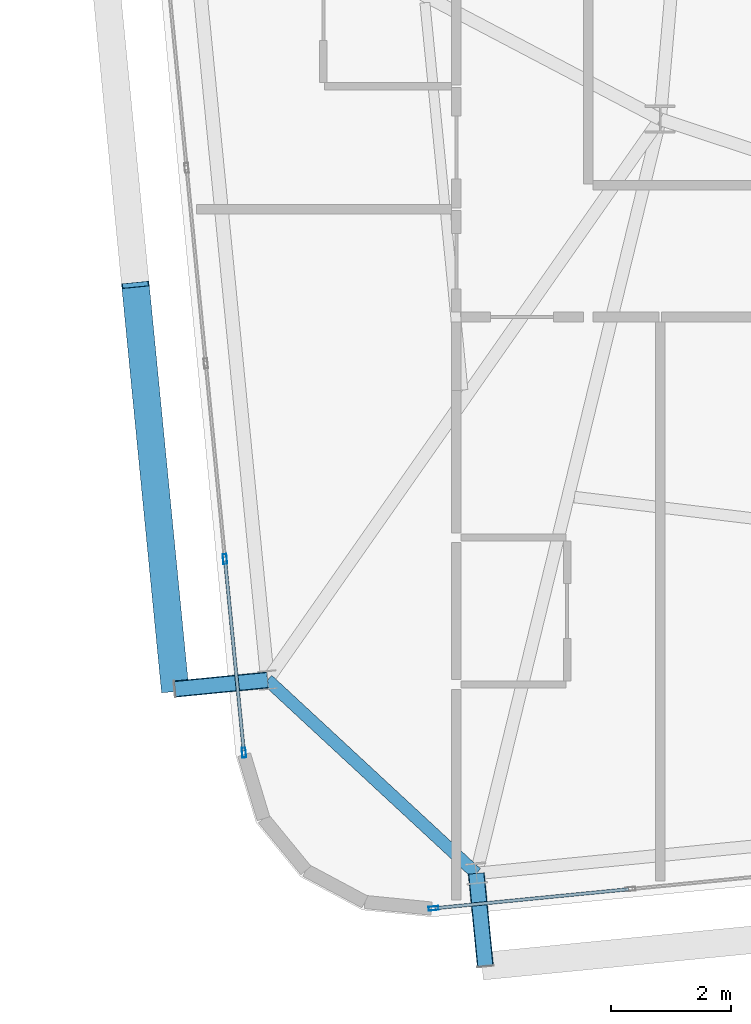
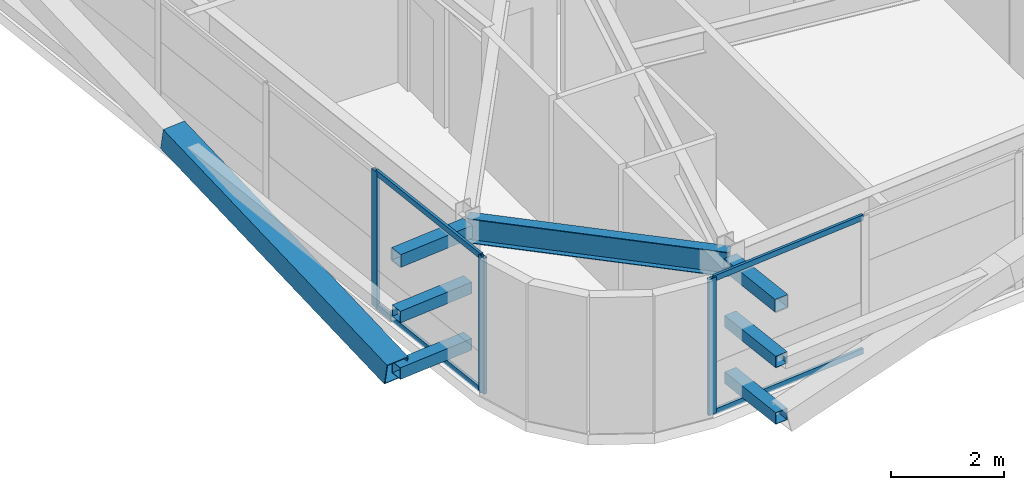
# One storey, part 5 of 53: 14 members, 1 beam, 2 elements without a shape of their own.
"""IFC4 building model written with IfcOpenShell, lengths in metres."""

from ifc_helpers import new_model, si_unit, direction, frame, origin, origin_2d, place, context, subcontext, project, spatial, hollow_rectangle, i_section, extrude, source, transform, mapped, material, layer, layer_set, material_profile, profile_set, type_object, element, aggregate, save


model = new_model("IFC4")

# Units and contexts
model_context = context("Model", 3, precision=1e-05, world=origin(), true_north=direction((0.0, 1.0)))
body_context = subcontext(model_context, "Body", "Model", "MODEL_VIEW")
ifc_project = project(units=[si_unit("LENGTHUNIT", "METRE"), si_unit("AREAUNIT", "SQUARE_METRE"), si_unit("VOLUMEUNIT", "CUBIC_METRE"), si_unit("PLANEANGLEUNIT", "RADIAN"), si_unit("MASSUNIT", "GRAM", prefix="KILO")], contexts=[model_context])

# Site, building, storey
site_placement = place(None, origin())
site = spatial("IfcSite", under=ifc_project, at=site_placement, CompositionType="ELEMENT")
building_placement = place(site_placement, origin())
building = spatial("IfcBuilding", under=site, at=building_placement, Name="Taldren Reach Tower", CompositionType="ELEMENT")
storey_placement = place(building_placement, frame((0.0, 0.0, 80.85009765625)))
storey = spatial("IfcBuildingStorey", under=building, at=storey_placement, Name="L24", CompositionType="ELEMENT", Elevation=80.85009765625)

# Beam
ifc_material_1 = material(Name="Steel Gr 350 (350PLUS)", Category="steel")
ifc_material_profile_1 = material_profile(ifc_material_1, i_section(OverallWidth=0.208984375, OverallDepth=0.528076171875, WebThickness=0.009521484375, FlangeThickness=0.01318359375, at=origin_2d()), Name="530UB82.0")
ifc_profile_set_1 = profile_set([ifc_material_profile_1], Name="Steel Gr 350 (350PLUS)")
beam_type = type_object("IfcBeamType", Name="SP-UB530B", PredefinedType="SPANDREL", material=ifc_profile_set_1)
shared_shape_1 = source(origin(), body_context, "Body", "SweptSolid", [
    extrude(i_section(OverallWidth=0.208984375, OverallDepth=0.528076171875, WebThickness=0.009521484375, FlangeThickness=0.01318359375, at=origin_2d()), origin(), (0.0, 0.0, 1.0), 4.745849609375),
])
beam_placement = place(storey_placement, frame((11.452880859375, 3.145751953125, 2.666015625), z_axis=(0.733524121458, -0.679663419083, 0.0), x_axis=(0.679663419083, 0.733524121458, 0.0)))
element("IfcBeam", 1, at=beam_placement, inside=storey, type_object=beam_type, Name="Perimeter spandrel B2 W1-S1 L24", PredefinedType="SPANDREL", context=body_context, shape_type="MappedRepresentation", body=[
    mapped(shared_shape_1, transform((0.0, 0.0, 0.0), scale=1.0)),
])

# Members
ifc_material_2 = material(Name="Steel Gr 450 (C450L0)", Category="steel")
ifc_material_profile_2 = material_profile(ifc_material_2, hollow_rectangle(XDim=0.27490234375, YDim=0.27490234375, WallThickness=0.00927734375, at=origin_2d()), Name="275x275x9.3SHS")
ifc_profile_set_2 = profile_set([ifc_material_profile_2], Name="Steel Gr 450 (C450L0)")
member_type_1 = type_object("IfcMemberType", Name="MB-TIE273", PredefinedType="STRUT", material=ifc_profile_set_2)
shared_shape_2 = source(origin(), body_context, "Body", "SweptSolid", [
    extrude(hollow_rectangle(XDim=0.27490234375, YDim=0.27490234375, WallThickness=0.00927734375, at=origin_2d()), origin(), (0.0, 0.0, 1.0), 1.550048828125),
])
for number, where, z_axis, x_axis, name in (
    (2, (14.93408203125, -0.079833984375, 2.64990234375), (0.097647892962, -0.9952210252, 0.0), (0.9952210252, 0.097647892962, 0.0), "Exoskeleton diaphragm tie strut B2-S1 L24"),
    (3, (11.452880859375, 3.145751953125, 2.64990234375), (-0.995236318924, -0.097491894511, 0.0), (0.097491894511, -0.995236318924, 0.0), "Exoskeleton diaphragm tie strut B2-W1 L24"),
):
    element("IfcMember", number, at=place(storey_placement, frame(where, z_axis=z_axis, x_axis=x_axis)), inside=storey, type_object=member_type_1, Name=name, PredefinedType="STRUT", context=body_context, shape_type="MappedRepresentation", body=[
        mapped(shared_shape_2, transform((0.0, 0.0, 0.0), scale=1.0)),
    ])
ifc_material_3 = material(Name="Steel Gr 350 (C350L0)", Category="steel")
ifc_material_profile_3 = material_profile(ifc_material_3, hollow_rectangle(XDim=0.25, YDim=0.25, WallThickness=0.010009765625, at=origin_2d()), Name="250x250x10.0SHS")
ifc_profile_set_3 = profile_set([ifc_material_profile_3], Name="Steel Gr 350 (C350L0)")
member_type_2 = type_object("IfcMemberType", Name="MB-POST250", PredefinedType="POST", material=ifc_profile_set_3)
shared_shape_3 = source(origin(), body_context, "Body", "SweptSolid", [
    extrude(hollow_rectangle(XDim=0.25, YDim=0.25, WallThickness=0.010009765625, at=origin_2d()), origin(), (0.0, 0.0, 1.0), 1.550048828125),
])
for number, where, z_axis, x_axis, name in (
    (4, (14.93408203125, -0.079833984375, 0.219970703125), (0.097647892962, -0.9952210252, 0.0), (0.9952210252, 0.097647892962, 0.0), "Exoskeleton base diaphragm tie strut B2-S1 L24"),
    (5, (11.452880859375, 3.145751953125, 0.219970703125), (-0.995236318924, -0.097491894511, 0.0), (0.097491894511, -0.995236318924, 0.0), "Exoskeleton base diaphragm tie strut B2-W1 L24"),
    (6, (14.93408203125, -0.079833984375, 1.434814453125), (0.097647892962, -0.9952210252, 0.0), (0.9952210252, 0.097647892962, 0.0), "Exoskeleton mid-tier diaphragm tie B2-S1 L24"),
    (7, (11.452880859375, 3.145751953125, 1.434814453125), (-0.995236318924, -0.097491894511, 0.0), (0.097491894511, -0.995236318924, 0.0), "Exoskeleton mid-tier diaphragm tie B2-W1 L24"),
):
    element("IfcMember", number, at=place(storey_placement, frame(where, z_axis=z_axis, x_axis=x_axis)), inside=storey, type_object=member_type_2, Name=name, PredefinedType="POST", context=body_context, shape_type="MappedRepresentation", body=[
        mapped(shared_shape_3, transform((0.0, 0.0, 0.0), scale=1.0)),
    ])
ifc_material_profile_4 = material_profile(ifc_material_2, hollow_rectangle(XDim=0.4599609375, YDim=0.4599609375, WallThickness=0.01611328125, at=origin_2d()), Name="460x460x16.0SHS")
ifc_profile_set_4 = profile_set([ifc_material_profile_4], Name="Steel Gr 450 (C450L0)")
member_type_3 = type_object("IfcMemberType", Name="MB-EXO457", PredefinedType="BRACE", material=ifc_profile_set_4)
shared_shape_4 = source(origin(), body_context, "Body", "SweptSolid", [
    extrude(hollow_rectangle(XDim=0.4599609375, YDim=0.4599609375, WallThickness=0.01611328125, at=origin_2d()), origin(), (0.0, 0.0, 1.0), 6.883056640625),
])
member_1_placement = place(storey_placement, frame((9.91015625, 2.99462890625, 0.219970703125), z_axis=(-0.096052059581, 0.979603316657, 0.176497432967), x_axis=(-0.995227290009, -0.097584021339, 0.0)))
element("IfcMember", 8, at=member_1_placement, inside=storey, type_object=member_type_3, Name="Exoskeleton Diagrid Brace B2-W1 L24", PredefinedType="BRACE", context=body_context, shape_type="MappedRepresentation", body=[
    mapped(shared_shape_4, transform((0.0, 0.0, 0.0), scale=1.0)),
])

# Curtain wall, member
ifc_material_4 = material(Name="Aluminium and Low-E Glass Unitised System", Category="aluminium")
ifc_layer = layer(ifc_material_4, 0.159912109375)
ifc_layer_set = layer_set([ifc_layer], Name="Aluminium and Low-E Glass Unitised System")
curtain_wall_type = type_object("IfcCurtainWallType", Name="CW-SYS-3", PredefinedType="NOTDEFINED", material=ifc_layer_set)
curtain_wall_1_placement = place(storey_placement, origin())
curtain_wall_1 = element("IfcCurtainWall", 9, at=curtain_wall_1_placement, inside=storey, type_object=curtain_wall_type, Name="Unitised curtain wall CW-L24-S", PredefinedType="NOTDEFINED")
ifc_material_5 = material(Name="Anodised Aluminium 6063-T6", Category="aluminium")
ifc_material_profile_5 = material_profile(ifc_material_5, hollow_rectangle(XDim=0.06494140625, YDim=0.1650390625, WallThickness=0.00390625, at=origin_2d()), Name="ALU-165x65x4RHS")
ifc_profile_set_5 = profile_set([ifc_material_profile_5], Name="Anodised Aluminium 6063-T6")
member_type_4 = type_object("IfcMemberType", Name="CW-MUL-165", PredefinedType="MULLION", material=ifc_profile_set_5)
shared_shape_5 = source(origin(), body_context, "Body", "SweptSolid", [
    extrude(hollow_rectangle(XDim=0.06494140625, YDim=0.1650390625, WallThickness=0.00390625, at=origin_2d()), origin(), (0.0, 0.0, 1.0), 2.929931640625),
])
member_2_placement = place(storey_placement, frame((14.22021484375, -0.662353515625, 0.0), z_axis=(0.0, 0.0, 1.0), x_axis=(-0.097582999046, 0.995227390247, 0.0)))
member_2 = element("IfcMember", 10, at=member_2_placement, type_object=member_type_4, Name="CW-3 mullion 1", PredefinedType="MULLION", context=body_context, shape_type="MappedRepresentation", body=[
    mapped(shared_shape_5, transform((0.0, 0.0, 0.0), scale=1.0)),
])

# Curtain wall, members
curtain_wall_2_placement = place(storey_placement, origin())
curtain_wall_2 = element("IfcCurtainWall", 11, at=curtain_wall_2_placement, inside=storey, type_object=curtain_wall_type, Name="Unitised curtain wall CW-L24-W", PredefinedType="NOTDEFINED")
member_3_placement = place(storey_placement, frame((10.742431640625, 5.163818359375, 0.0), z_axis=(0.0, 0.0, 1.0), x_axis=(0.99522741555, 0.09758274098, 0.0)))
member_3 = element("IfcMember", 12, at=member_3_placement, type_object=member_type_4, Name="CW-3 mullion 9", PredefinedType="MULLION", context=body_context, shape_type="MappedRepresentation", body=[
    mapped(shared_shape_5, transform((0.0, 0.0, 0.0), scale=1.0)),
])
member_4_placement = place(storey_placement, frame((11.05908203125, 1.93408203125, 0.0), z_axis=(0.0, 0.0, 1.0), x_axis=(0.99522741555, 0.09758274098, 0.0)))
member_4 = element("IfcMember", 13, at=member_4_placement, type_object=member_type_4, Name="CW-3 mullion 10", PredefinedType="MULLION", context=body_context, shape_type="MappedRepresentation", body=[
    mapped(shared_shape_5, transform((0.0, 0.0, 0.0), scale=1.0)),
])

# Member
ifc_material_profile_6 = material_profile(ifc_material_5, hollow_rectangle(XDim=0.054931640625, YDim=0.1201171875, WallThickness=0.0029296875, at=origin_2d()), Name="ALU-120x55x3RHS")
ifc_profile_set_6 = profile_set([ifc_material_profile_6], Name="Anodised Aluminium 6063-T6")
member_type_5 = type_object("IfcMemberType", Name="CW-TRN-135", PredefinedType="USERDEFINED", material=ifc_profile_set_6)
shared_shape_6 = source(origin(), body_context, "Body", "SweptSolid", [
    extrude(hollow_rectangle(XDim=0.054931640625, YDim=0.1201171875, WallThickness=0.0029296875, at=origin_2d()), origin(), (0.0, 0.0, 1.0), 3.23583984375),
])
member_5_placement = place(storey_placement, frame((14.25244140625, -0.6591796875, 0.02734375), z_axis=(0.995230248826, 0.097553840629, 0.0), x_axis=(-0.097553840629, 0.995230248826, 0.0)))
member_5 = element("IfcMember", 14, at=member_5_placement, type_object=member_type_5, Name="CW-3 transom 1.1", ObjectType="TRANSOM", PredefinedType="USERDEFINED", context=body_context, shape_type="MappedRepresentation", body=[
    mapped(shared_shape_6, transform((0.0, 0.0, 0.0), scale=1.0)),
])

member_6_placement = place(storey_placement, frame((14.25244140625, -0.6591796875, 2.90234375), z_axis=(0.995230248826, 0.097553840629, 0.0), x_axis=(-0.097553840629, 0.995230248826, 0.0)))
member_6 = element("IfcMember", 15, at=member_6_placement, type_object=member_type_5, Name="CW-3 transom 1.2", ObjectType="TRANSOM", PredefinedType="USERDEFINED", context=body_context, shape_type="MappedRepresentation", body=[
    mapped(shared_shape_6, transform((0.0, 0.0, 0.0), scale=1.0)),
])

aggregate(curtain_wall_1, [member_2, member_5, member_6])

shared_shape_7 = source(origin(), body_context, "Body", "SweptSolid", [
    extrude(hollow_rectangle(XDim=0.054931640625, YDim=0.1201171875, WallThickness=0.0029296875, at=origin_2d()), origin(), (0.0, 0.0, 1.0), 3.180419921875),
])
member_7_placement = place(storey_placement, frame((10.74560546875, 5.131591796875, 0.02734375), z_axis=(0.097565460739, -0.995229109738, 0.0), x_axis=(0.995229109738, 0.097565460739, 0.0)))
member_7 = element("IfcMember", 16, at=member_7_placement, type_object=member_type_5, Name="CW-3 transom 9.1", ObjectType="TRANSOM", PredefinedType="USERDEFINED", context=body_context, shape_type="MappedRepresentation", body=[
    mapped(shared_shape_7, transform((0.0, 0.0, 0.0), scale=1.0)),
])

member_8_placement = place(storey_placement, frame((10.74560546875, 5.131591796875, 2.90234375), z_axis=(0.097565460739, -0.995229109738, 0.0), x_axis=(0.995229109738, 0.097565460739, 0.0)))
member_8 = element("IfcMember", 17, at=member_8_placement, type_object=member_type_5, Name="CW-3 transom 9.2", ObjectType="TRANSOM", PredefinedType="USERDEFINED", context=body_context, shape_type="MappedRepresentation", body=[
    mapped(shared_shape_7, transform((0.0, 0.0, 0.0), scale=1.0)),
])

aggregate(curtain_wall_2, [member_3, member_4, member_7, member_8])

save(model, "model.ifc")
